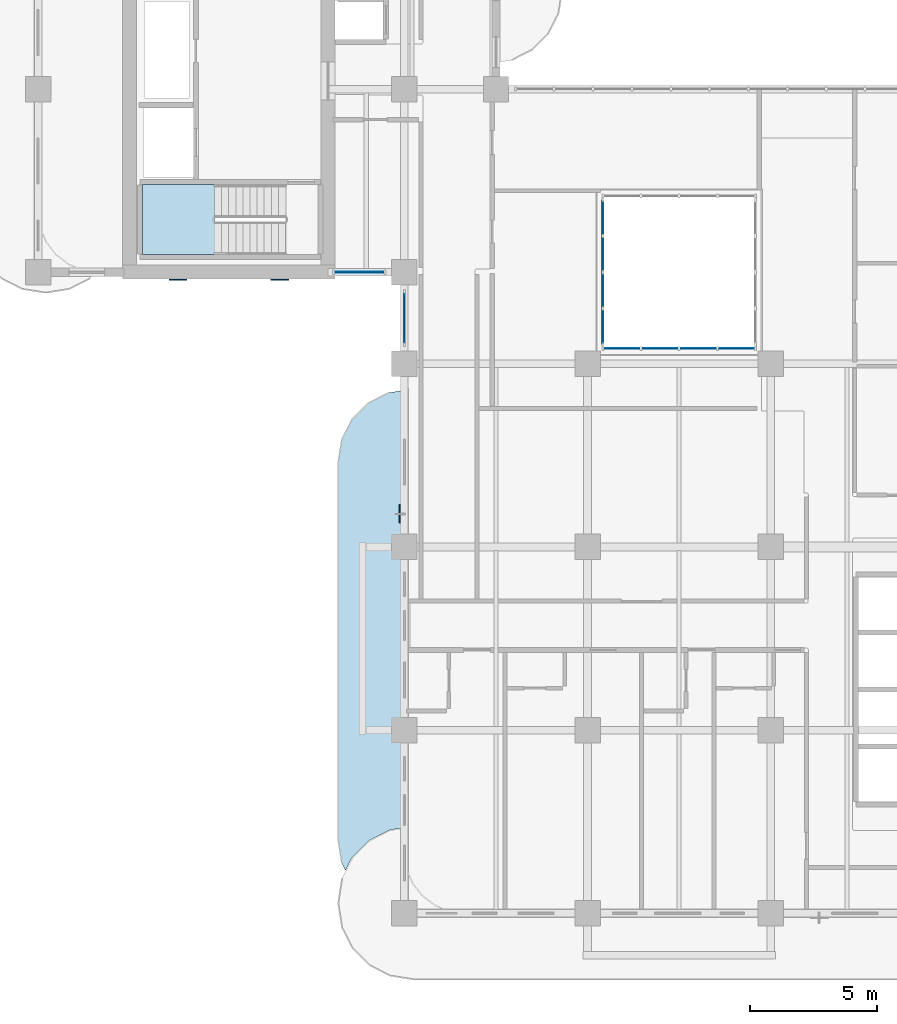
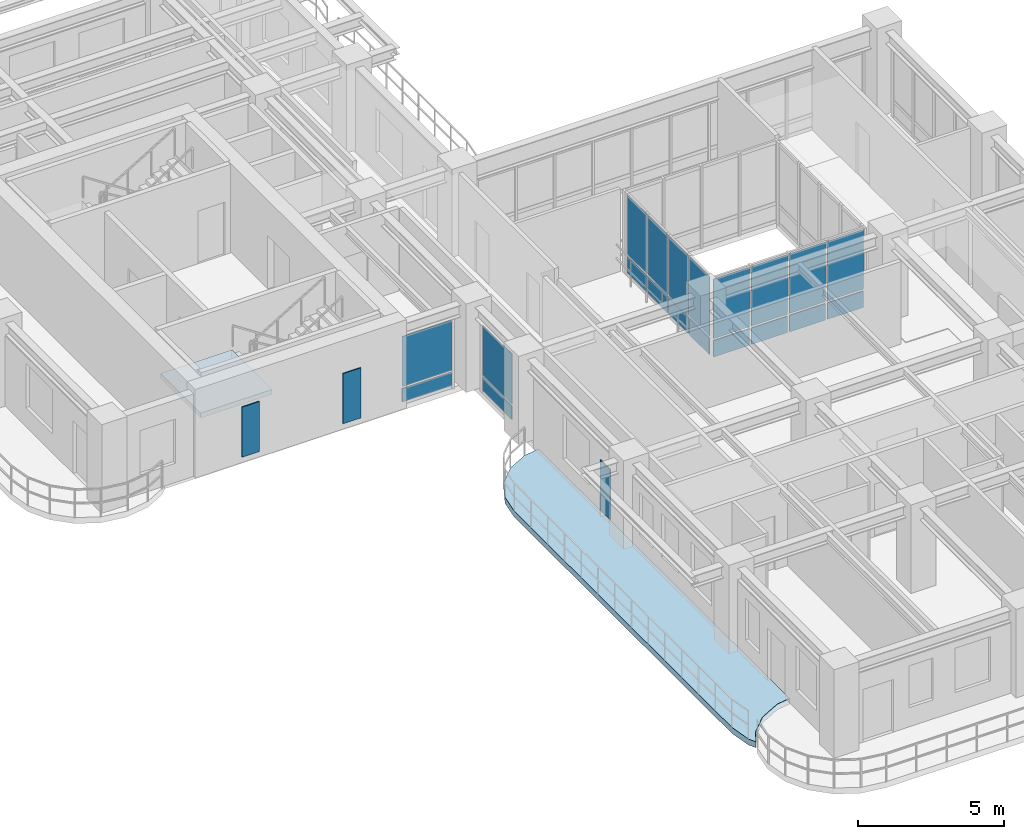
# One storey, part 7 of 20: 23 plates, 2 slabs, 5 elements without a shape of their own.
"""IFC4 building model written with IfcOpenShell, lengths in metres."""

from ifc_helpers import new_model, si_unit, derived_unit, direction, frame, origin, origin_2d, place, context, subcontext, project, spatial, polyline, rectangle, outline, extrude, source, transform, mapped, material, layer, layer_set, type_object, type_shapes, element, aggregate, save


model = new_model("IFC4")

# Units and contexts
model_context = context("Model", 3, precision=1e-05, world=origin(), true_north=direction((0.0, 1.0)))
body_context = subcontext(model_context, "Body", "Model", "MODEL_VIEW")
ifc_project = project(units=[si_unit("LENGTHUNIT", "METRE"), si_unit("AREAUNIT", "SQUARE_METRE"), si_unit("VOLUMEUNIT", "CUBIC_METRE"), si_unit("PLANEANGLEUNIT", "RADIAN"), si_unit("MASSUNIT", "GRAM", prefix="KILO"), si_unit("THERMODYNAMICTEMPERATUREUNIT", "KELVIN"), si_unit("POWERUNIT", "WATT"), derived_unit("THERMALTRANSMITTANCEUNIT", [(si_unit("POWERUNIT", "WATT"), 1), (si_unit("AREAUNIT", "SQUARE_METRE"), -1), (si_unit("THERMODYNAMICTEMPERATUREUNIT", "KELVIN"), -1)])], contexts=[model_context])

# Site, building, storey
site_placement = place(None, origin())
site = spatial("IfcSite", under=ifc_project, at=site_placement, CompositionType="ELEMENT")
building_placement = place(site_placement, origin())
building = spatial("IfcBuilding", under=site, at=building_placement, Name="Zahravan Archway Hotel and Residences", CompositionType="ELEMENT")
storey_placement = place(building_placement, frame((0.0, 0.0, 122.89990234375)))
storey = spatial("IfcBuildingStorey", under=building, at=storey_placement, Name="L30", CompositionType="ELEMENT", Elevation=122.89990234375)

# Slab
ifc_material_1 = material(Name="Concrete C45/55", Category="concrete")
ifc_layer_1 = layer(ifc_material_1, 0.25, Name="Concrete C45/55", Category="concrete")
ifc_layer_set_1 = layer_set([ifc_layer_1], Name="Concrete C45/55")
slab_type_1 = type_object("IfcSlabType", Name="SLB-BALC-250", PredefinedType="FLOOR", material=ifc_layer_set_1)
slab_1_placement = place(storey_placement, frame((0.0, 0.0, -0.25)))
element("IfcSlab", 1, at=slab_1_placement, inside=storey, type_object=slab_type_1, Name="L30 Wing A West Rounded Balcony Band", PredefinedType="FLOOR", context=body_context, shape_type="SweptSolid", body=[
    extrude(outline(polyline([(11.939453125, 1.96923828125), (11.800048828125, 2.85009765625), (11.800048828125, 17.75), (11.939453125, 18.630615234375), (12.34423828125, 19.42529296875), (12.974853515625, 20.0556640625), (13.769287109375, 20.46044921875), (14.3798828125, 20.55712890625), (14.3798828125, 3.361328125), (14.37890625, 3.361328125), (14.376953125, 3.361083984375), (13.835205078125, 3.275390625), (13.833251953125, 3.27490234375), (13.831298828125, 3.2744140625), (13.829345703125, 3.2734375), (13.0068359375, 2.8544921875), (13.005126953125, 2.853515625), (13.00341796875, 2.85205078125), (13.001953125, 2.8505859375), (12.349365234375, 2.197998046875), (12.347900390625, 2.196533203125), (12.3466796875, 2.19482421875), (12.345703125, 2.193115234375), (12.08544921875, 1.6826171875), (11.939453125, 1.96923828125)])), origin(), (0.0, 0.0, 1.0), 0.25),
])

# Stair, slab
ifc_material_2 = material(Name="Concrete C50/60", Category="concrete")
stair_type = type_object("IfcStairType", Name="STR-CORE-1300", PredefinedType="HALF_TURN_STAIR", material=ifc_material_2)
stair_placement = place(storey_placement, origin())
stair = element("IfcStair", 2, at=stair_placement, inside=storey, type_object=stair_type, Name="L30 Core B Exit Stair 1", PredefinedType="HALF_TURN_STAIR")
ifc_layer_2 = layer(ifc_material_2, 0.199951171875, Name="Concrete C50/60", Category="concrete")
ifc_layer_set_2 = layer_set([ifc_layer_2], Name="Concrete C50/60")
slab_type_2 = type_object("IfcSlabType", Name="SLB-LND-200", PredefinedType="LANDING", material=ifc_layer_set_2)
slab_2_placement = place(storey_placement, frame((0.0, 0.0, 1.650146484375)))
slab_2 = element("IfcSlab", 3, at=slab_2_placement, type_object=slab_type_2, Name="ST-B1 landing 1", PredefinedType="LANDING", context=body_context, shape_type="SweptSolid", body=[
    extrude(outline(polyline([(6.929931640625, 28.639892578125), (4.10009765625, 28.639892578125), (4.10009765625, 25.89990234375), (6.929931640625, 25.89990234375), (6.929931640625, 28.639892578125)])), origin(), (0.0, 0.0, 1.0), 0.199951171875),
])
aggregate(stair, [slab_2])

# Plates
ifc_material_3 = material(Name="Perforated Cast Bronze Jali Lattice")
ifc_layer_3 = layer(ifc_material_3, 0.044921875, Name="Perforated Cast Bronze Jali Lattice")
ifc_layer_set_3 = layer_set([ifc_layer_3], Name="Perforated Cast Bronze Jali Lattice")
plate_type_1 = type_object("IfcPlateType", Name="PLT-JALI-BAY", PredefinedType="USERDEFINED", material=ifc_layer_set_3)
shared_shape_1 = source(origin(), body_context, "Body", "SweptSolid", [
    extrude(rectangle(XDim=0.699951171875, YDim=0.044921875, at=origin_2d()), origin(), (0.0, 0.0, 1.0), 2.10009765625),
])
type_shapes(plate_type_1, [shared_shape_1])
for number, where, z_axis, x_axis, name in (
    (4, (5.5, 24.906982421875, 0.25), (0.0, 0.0, 1.0), (1.0, 0.0, 0.0), "L30 Core B South Mughal Jali Screen 1"),
    (5, (9.5, 24.906982421875, 0.25), (0.0, 0.0, 1.0), (1.0, 0.0, 0.0), "L30 Core B South Mughal Jali Screen 2"),
    (6, (14.221923828125, 15.699951171875, 0.25), (0.0, 0.0, 1.0), (0.0, 1.0, 0.0), "L30 Perforated Bronze Jali Pier Screen 06"),
):
    element("IfcPlate", number, at=place(storey_placement, frame(where, z_axis=z_axis, x_axis=x_axis)), inside=storey, type_object=plate_type_1, Name=name, ObjectType="SCREEN", PredefinedType="USERDEFINED", context=body_context, shape_type="MappedRepresentation", body=[
        mapped(shared_shape_1, transform((0.0, 0.0, 0.0), scale=1.0)),
    ])

# Curtain wall, plates
ifc_material_4 = material(Name="Bronze-Anodized Unitised Aluminium & Low-E Glass", Category="aluminium")
ifc_layer_4 = layer(ifc_material_4, 0.179931640625, Name="Bronze-Anodized Unitised Aluminium & Low-E Glass", Category="aluminium")
ifc_layer_set_4 = layer_set([ifc_layer_4], Name="Bronze-Anodized Unitised Aluminium & Low-E Glass")
curtain_wall_type_1 = type_object("IfcCurtainWallType", Name="CW-ATR-GLAZ", PredefinedType="NOTDEFINED", material=ifc_layer_set_4)
curtain_wall_1_placement = place(storey_placement, origin())
curtain_wall_1 = element("IfcCurtainWall", 7, at=curtain_wall_1_placement, inside=storey, type_object=curtain_wall_type_1, Name="L30 Curtain Wall CW-ATR-L30-S-1", PredefinedType="NOTDEFINED")
ifc_material_5 = material(Name="Insulated Terracotta Spandrel Panel", Category="masonry")
ifc_layer_5 = layer(ifc_material_5, 0.0400390625, Name="Insulated Terracotta Spandrel Panel", Category="masonry")
ifc_layer_set_5 = layer_set([ifc_layer_5], Name="Insulated Terracotta Spandrel Panel")
plate_type_2 = type_object("IfcPlateType", Name="CWP-SPN-40", PredefinedType="SHEET", material=ifc_layer_set_5)
shared_shape_2 = source(origin(), body_context, "Body", "SweptSolid", [
    extrude(rectangle(XDim=1.419921875, YDim=0.0400390625, at=origin_2d()), origin(), (0.0, 0.0, 1.0), 0.68798828125),
])
plate_1_placement = place(storey_placement, frame((22.949951171875, 22.199951171875, 0.10009765625), z_axis=(0.0, 0.0, 1.0), x_axis=(1.0, 0.0, 0.0)))
plate_1 = element("IfcPlate", 8, at=plate_1_placement, type_object=plate_type_2, Name="CW-ATR-L30-S-1 Spandrel Panel 0", PredefinedType="SHEET", context=body_context, shape_type="MappedRepresentation", body=[
    mapped(shared_shape_2, transform((0.0, 0.0, 0.0), scale=1.0)),
])
plate_2_placement = place(storey_placement, frame((24.449951171875, 22.199951171875, 0.10009765625), z_axis=(0.0, 0.0, 1.0), x_axis=(1.0, 0.0, 0.0)))
plate_2 = element("IfcPlate", 9, at=plate_2_placement, type_object=plate_type_2, Name="CW-ATR-L30-S-1 Spandrel Panel 1", PredefinedType="SHEET", context=body_context, shape_type="MappedRepresentation", body=[
    mapped(shared_shape_2, transform((0.0, 0.0, 0.0), scale=1.0)),
])
plate_3_placement = place(storey_placement, frame((25.949951171875, 22.199951171875, 0.10009765625), z_axis=(0.0, 0.0, 1.0), x_axis=(1.0, 0.0, 0.0)))
plate_3 = element("IfcPlate", 10, at=plate_3_placement, type_object=plate_type_2, Name="CW-ATR-L30-S-1 Spandrel Panel 2", PredefinedType="SHEET", context=body_context, shape_type="MappedRepresentation", body=[
    mapped(shared_shape_2, transform((0.0, 0.0, 0.0), scale=1.0)),
])
plate_4_placement = place(storey_placement, frame((27.449951171875, 22.199951171875, 0.10009765625), z_axis=(0.0, 0.0, 1.0), x_axis=(1.0, 0.0, 0.0)))
plate_4 = element("IfcPlate", 11, at=plate_4_placement, type_object=plate_type_2, Name="CW-ATR-L30-S-1 Spandrel Panel 3", PredefinedType="SHEET", context=body_context, shape_type="MappedRepresentation", body=[
    mapped(shared_shape_2, transform((0.0, 0.0, 0.0), scale=1.0)),
])
ifc_material_6 = material(Name="Double-Silver Low-E Insulated Vision Glass", Category="glass")
ifc_layer_6 = layer(ifc_material_6, 0.028076171875, Name="Double-Silver Low-E Insulated Vision Glass", Category="glass")
ifc_layer_set_6 = layer_set([ifc_layer_6], Name="Double-Silver Low-E Insulated Vision Glass")
plate_type_3 = type_object("IfcPlateType", Name="CWP-GLZ-28", PredefinedType="CURTAIN_PANEL", material=ifc_layer_set_6)
shared_shape_3 = source(origin(), body_context, "Body", "SweptSolid", [
    extrude(rectangle(XDim=1.419921875, YDim=0.028076171875, at=origin_2d()), origin(), (0.0, 0.0, 1.0), 2.48193359375),
])
plate_5_placement = place(storey_placement, frame((22.949951171875, 22.199951171875, 0.8681640625), z_axis=(0.0, 0.0, 1.0), x_axis=(1.0, 0.0, 0.0)))
plate_5 = element("IfcPlate", 12, at=plate_5_placement, type_object=plate_type_3, Name="CW-ATR-L30-S-1 Low-E Vision Panel 0", PredefinedType="CURTAIN_PANEL", context=body_context, shape_type="MappedRepresentation", body=[
    mapped(shared_shape_3, transform((0.0, 0.0, 0.0), scale=1.0)),
])
plate_6_placement = place(storey_placement, frame((24.449951171875, 22.199951171875, 0.8681640625), z_axis=(0.0, 0.0, 1.0), x_axis=(1.0, 0.0, 0.0)))
plate_6 = element("IfcPlate", 13, at=plate_6_placement, type_object=plate_type_3, Name="CW-ATR-L30-S-1 Low-E Vision Panel 1", PredefinedType="CURTAIN_PANEL", context=body_context, shape_type="MappedRepresentation", body=[
    mapped(shared_shape_3, transform((0.0, 0.0, 0.0), scale=1.0)),
])
plate_7_placement = place(storey_placement, frame((25.949951171875, 22.199951171875, 0.8681640625), z_axis=(0.0, 0.0, 1.0), x_axis=(1.0, 0.0, 0.0)))
plate_7 = element("IfcPlate", 14, at=plate_7_placement, type_object=plate_type_3, Name="CW-ATR-L30-S-1 Low-E Vision Panel 2", PredefinedType="CURTAIN_PANEL", context=body_context, shape_type="MappedRepresentation", body=[
    mapped(shared_shape_3, transform((0.0, 0.0, 0.0), scale=1.0)),
])
plate_8_placement = place(storey_placement, frame((27.449951171875, 22.199951171875, 0.8681640625), z_axis=(0.0, 0.0, 1.0), x_axis=(1.0, 0.0, 0.0)))
plate_8 = element("IfcPlate", 15, at=plate_8_placement, type_object=plate_type_3, Name="CW-ATR-L30-S-1 Low-E Vision Panel 3", PredefinedType="CURTAIN_PANEL", context=body_context, shape_type="MappedRepresentation", body=[
    mapped(shared_shape_3, transform((0.0, 0.0, 0.0), scale=1.0)),
])
aggregate(curtain_wall_1, [plate_1, plate_5, plate_2, plate_6, plate_3, plate_7, plate_4, plate_8])

curtain_wall_2_placement = place(storey_placement, origin())
curtain_wall_2 = element("IfcCurtainWall", 16, at=curtain_wall_2_placement, inside=storey, type_object=curtain_wall_type_1, Name="L30 Curtain Wall CW-ATR-L30-W-1", PredefinedType="NOTDEFINED")
shared_shape_4 = source(origin(), body_context, "Body", "SweptSolid", [
    extrude(rectangle(XDim=1.344970703125, YDim=0.0400390625, at=origin_2d()), origin(), (0.0, 0.0, 1.0), 0.68798828125),
])
plate_9_placement = place(storey_placement, frame((22.199951171875, 23.0625, 0.10009765625), z_axis=(0.0, 0.0, 1.0), x_axis=(0.0, 1.0, 0.0)))
plate_9 = element("IfcPlate", 17, at=plate_9_placement, type_object=plate_type_2, Name="CW-ATR-L30-W-1 Spandrel Panel 0", PredefinedType="SHEET", context=body_context, shape_type="MappedRepresentation", body=[
    mapped(shared_shape_4, transform((0.0, 0.0, 0.0), scale=1.0)),
])
plate_10_placement = place(storey_placement, frame((22.199951171875, 24.487548828125, 0.10009765625), z_axis=(0.0, 0.0, 1.0), x_axis=(0.0, 1.0, 0.0)))
plate_10 = element("IfcPlate", 18, at=plate_10_placement, type_object=plate_type_2, Name="CW-ATR-L30-W-1 Spandrel Panel 1", PredefinedType="SHEET", context=body_context, shape_type="MappedRepresentation", body=[
    mapped(shared_shape_4, transform((0.0, 0.0, 0.0), scale=1.0)),
])
plate_11_placement = place(storey_placement, frame((22.199951171875, 25.91259765625, 0.10009765625), z_axis=(0.0, 0.0, 1.0), x_axis=(0.0, 1.0, 0.0)))
plate_11 = element("IfcPlate", 19, at=plate_11_placement, type_object=plate_type_2, Name="CW-ATR-L30-W-1 Spandrel Panel 2", PredefinedType="SHEET", context=body_context, shape_type="MappedRepresentation", body=[
    mapped(shared_shape_4, transform((0.0, 0.0, 0.0), scale=1.0)),
])
plate_12_placement = place(storey_placement, frame((22.199951171875, 27.33740234375, 0.10009765625), z_axis=(0.0, 0.0, 1.0), x_axis=(0.0, 1.0, 0.0)))
plate_12 = element("IfcPlate", 20, at=plate_12_placement, type_object=plate_type_2, Name="CW-ATR-L30-W-1 Spandrel Panel 3", PredefinedType="SHEET", context=body_context, shape_type="MappedRepresentation", body=[
    mapped(shared_shape_4, transform((0.0, 0.0, 0.0), scale=1.0)),
])
shared_shape_5 = source(origin(), body_context, "Body", "SweptSolid", [
    extrude(rectangle(XDim=1.344970703125, YDim=0.028076171875, at=origin_2d()), origin(), (0.0, 0.0, 1.0), 2.48193359375),
])
plate_13_placement = place(storey_placement, frame((22.199951171875, 23.0625, 0.8681640625), z_axis=(0.0, 0.0, 1.0), x_axis=(0.0, 1.0, 0.0)))
plate_13 = element("IfcPlate", 21, at=plate_13_placement, type_object=plate_type_3, Name="CW-ATR-L30-W-1 Low-E Vision Panel 0", PredefinedType="CURTAIN_PANEL", context=body_context, shape_type="MappedRepresentation", body=[
    mapped(shared_shape_5, transform((0.0, 0.0, 0.0), scale=1.0)),
])
plate_14_placement = place(storey_placement, frame((22.199951171875, 24.487548828125, 0.8681640625), z_axis=(0.0, 0.0, 1.0), x_axis=(0.0, 1.0, 0.0)))
plate_14 = element("IfcPlate", 22, at=plate_14_placement, type_object=plate_type_3, Name="CW-ATR-L30-W-1 Low-E Vision Panel 1", PredefinedType="CURTAIN_PANEL", context=body_context, shape_type="MappedRepresentation", body=[
    mapped(shared_shape_5, transform((0.0, 0.0, 0.0), scale=1.0)),
])
plate_15_placement = place(storey_placement, frame((22.199951171875, 25.91259765625, 0.8681640625), z_axis=(0.0, 0.0, 1.0), x_axis=(0.0, 1.0, 0.0)))
plate_15 = element("IfcPlate", 23, at=plate_15_placement, type_object=plate_type_3, Name="CW-ATR-L30-W-1 Low-E Vision Panel 2", PredefinedType="CURTAIN_PANEL", context=body_context, shape_type="MappedRepresentation", body=[
    mapped(shared_shape_5, transform((0.0, 0.0, 0.0), scale=1.0)),
])
plate_16_placement = place(storey_placement, frame((22.199951171875, 27.33740234375, 0.8681640625), z_axis=(0.0, 0.0, 1.0), x_axis=(0.0, 1.0, 0.0)))
plate_16 = element("IfcPlate", 24, at=plate_16_placement, type_object=plate_type_3, Name="CW-ATR-L30-W-1 Low-E Vision Panel 3", PredefinedType="CURTAIN_PANEL", context=body_context, shape_type="MappedRepresentation", body=[
    mapped(shared_shape_5, transform((0.0, 0.0, 0.0), scale=1.0)),
])
aggregate(curtain_wall_2, [plate_9, plate_13, plate_10, plate_14, plate_11, plate_15, plate_12, plate_16])

ifc_layer_7 = layer(ifc_material_4, 0.179931640625, Name="Bronze-Anodized Unitised Aluminium & Low-E Glass", Category="aluminium")
ifc_layer_set_7 = layer_set([ifc_layer_7], Name="Bronze-Anodized Unitised Aluminium & Low-E Glass")
curtain_wall_type_2 = type_object("IfcCurtainWallType", Name="CW-TWR-FEAT", PredefinedType="NOTDEFINED", material=ifc_layer_set_7)
curtain_wall_3_placement = place(storey_placement, origin())
curtain_wall_3 = element("IfcCurtainWall", 25, at=curtain_wall_3_placement, inside=storey, type_object=curtain_wall_type_2, Name="L30 Curtain Wall CW-L30-WA-WLU-1", PredefinedType="NOTDEFINED")
shared_shape_6 = source(origin(), body_context, "Body", "SweptSolid", [
    extrude(rectangle(XDim=2.0, YDim=0.0400390625, at=origin_2d()), origin(), (0.0, 0.0, 1.0), 0.564453125),
])
plate_17_placement = place(storey_placement, frame((14.39990234375, 23.39990234375, 0.10009765625), z_axis=(0.0, 0.0, 1.0), x_axis=(0.0, 1.0, 0.0)))
plate_17 = element("IfcPlate", 26, at=plate_17_placement, type_object=plate_type_2, Name="CW-L30-WA-WLU-1 Spandrel Panel 0", PredefinedType="SHEET", context=body_context, shape_type="MappedRepresentation", body=[
    mapped(shared_shape_6, transform((0.0, 0.0, 0.0), scale=1.0)),
])
shared_shape_7 = source(origin(), body_context, "Body", "SweptSolid", [
    extrude(rectangle(XDim=2.0, YDim=0.028076171875, at=origin_2d()), origin(), (0.0, 0.0, 1.0), 2.090576171875),
])
plate_18_placement = place(storey_placement, frame((14.39990234375, 23.39990234375, 0.74462890625), z_axis=(0.0, 0.0, 1.0), x_axis=(0.0, 1.0, 0.0)))
plate_18 = element("IfcPlate", 27, at=plate_18_placement, type_object=plate_type_3, Name="CW-L30-WA-WLU-1 Low-E Vision Panel 0", PredefinedType="CURTAIN_PANEL", context=body_context, shape_type="MappedRepresentation", body=[
    mapped(shared_shape_7, transform((0.0, 0.0, 0.0), scale=1.0)),
])
aggregate(curtain_wall_3, [plate_17, plate_18])

curtain_wall_4_placement = place(storey_placement, origin())
curtain_wall_4 = element("IfcCurtainWall", 28, at=curtain_wall_4_placement, inside=storey, type_object=curtain_wall_type_2, Name="L30 Curtain Wall CW-L30-WB-SE-1", PredefinedType="NOTDEFINED")
shared_shape_8 = source(origin(), body_context, "Body", "SweptSolid", [
    extrude(rectangle(XDim=1.93994140625, YDim=0.0400390625, at=origin_2d()), origin(), (0.0, 0.0, 1.0), 0.564453125),
])
plate_19_placement = place(storey_placement, frame((12.6298828125, 25.199951171875, 0.10009765625), z_axis=(0.0, 0.0, 1.0), x_axis=(1.0, 0.0, 0.0)))
plate_19 = element("IfcPlate", 29, at=plate_19_placement, type_object=plate_type_2, Name="CW-L30-WB-SE-1 Spandrel Panel 0", PredefinedType="SHEET", context=body_context, shape_type="MappedRepresentation", body=[
    mapped(shared_shape_8, transform((0.0, 0.0, 0.0), scale=1.0)),
])
shared_shape_9 = source(origin(), body_context, "Body", "SweptSolid", [
    extrude(rectangle(XDim=1.93994140625, YDim=0.028076171875, at=origin_2d()), origin(), (0.0, 0.0, 1.0), 2.090576171875),
])
plate_20_placement = place(storey_placement, frame((12.6298828125, 25.199951171875, 0.74462890625), z_axis=(0.0, 0.0, 1.0), x_axis=(1.0, 0.0, 0.0)))
plate_20 = element("IfcPlate", 30, at=plate_20_placement, type_object=plate_type_3, Name="CW-L30-WB-SE-1 Low-E Vision Panel 0", PredefinedType="CURTAIN_PANEL", context=body_context, shape_type="MappedRepresentation", body=[
    mapped(shared_shape_9, transform((0.0, 0.0, 0.0), scale=1.0)),
])
aggregate(curtain_wall_4, [plate_19, plate_20])

save(model, "model.ifc")
